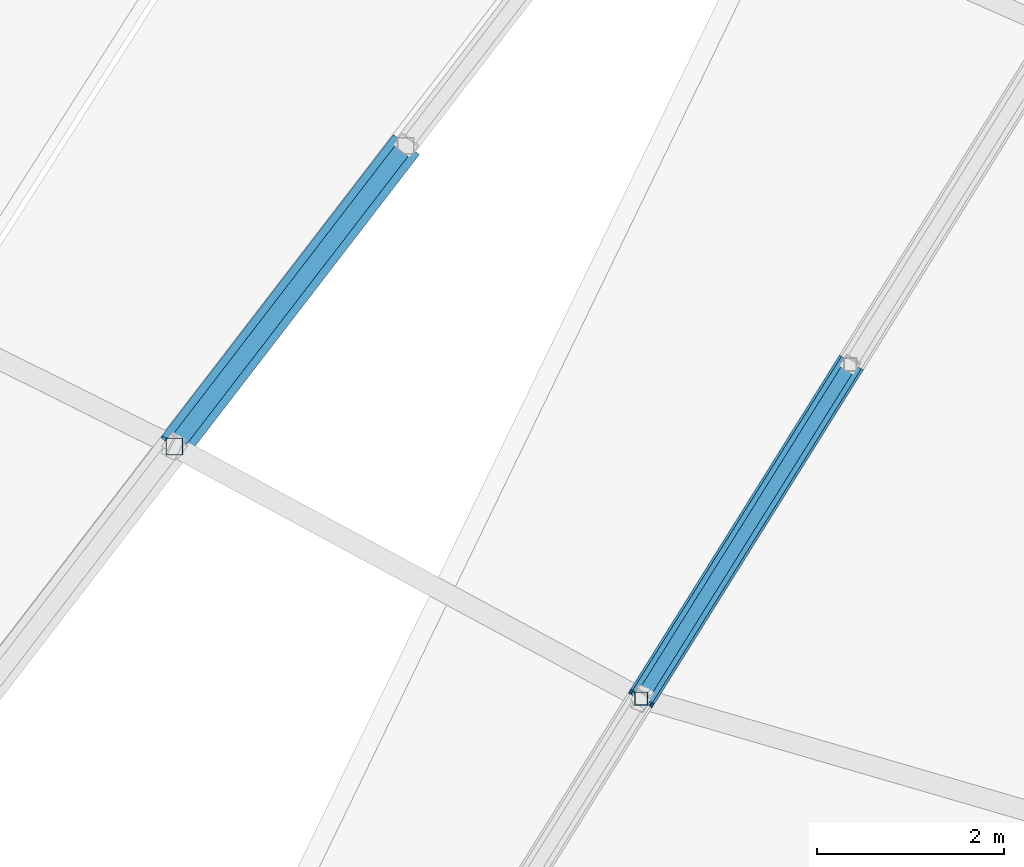
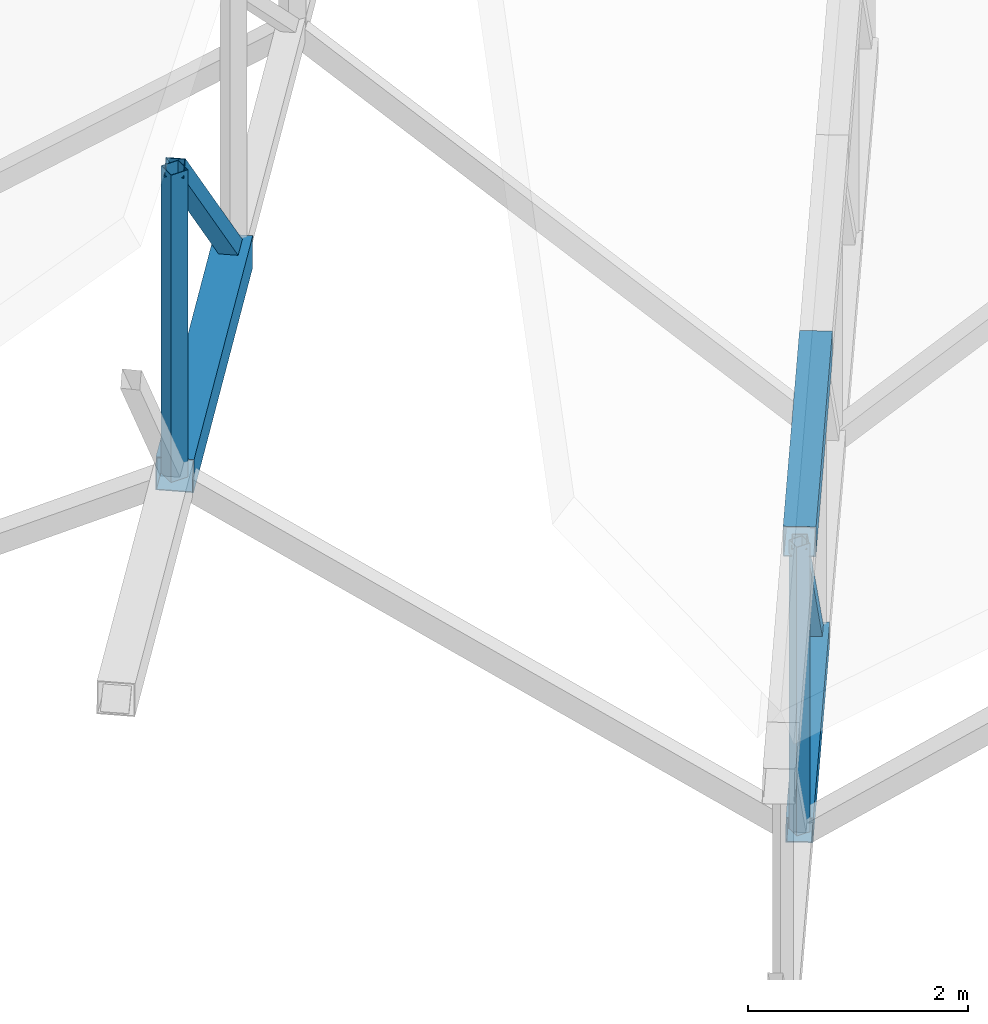
# One storey, part 13 of 344: 7 members.
"""IFC4 building model written with IfcOpenShell, lengths in metres."""

from ifc_helpers import new_model, si_unit, direction, frame, origin, origin_2d, place, context, subcontext, project, spatial, hollow_rectangle, extrude, material, material_profile, profile_set, type_object, element, save


model = new_model("IFC4")

# Units and contexts
model_context = context("Model", 3, precision=1e-05, world=origin(), true_north=direction((0.0, 1.0)))
body_context = subcontext(model_context, "Body", "Model", "MODEL_VIEW")
ifc_project = project(units=[si_unit("LENGTHUNIT", "METRE"), si_unit("AREAUNIT", "SQUARE_METRE"), si_unit("VOLUMEUNIT", "CUBIC_METRE"), si_unit("PLANEANGLEUNIT", "RADIAN"), si_unit("MASSUNIT", "GRAM", prefix="KILO")], contexts=[model_context])

# Site, building, storey
site_placement = place(None, origin())
site = spatial("IfcSite", under=ifc_project, at=site_placement, CompositionType="ELEMENT")
building_placement = place(site_placement, origin())
building = spatial("IfcBuilding", under=site, at=building_placement, Name="Meseta Stadium", CompositionType="ELEMENT")
storey_placement = place(building_placement, frame((0.0, 0.0, 24.0)))
storey = spatial("IfcBuildingStorey", under=building, at=storey_placement, Name="L04", CompositionType="ELEMENT", Elevation=24.0)

# Members
ifc_material_1 = material(Name="Steel S355", Category="steel")
ifc_material_profile_1 = material_profile(ifc_material_1, hollow_rectangle(XDim=0.139892578125, YDim=0.139892578125, WallThickness=0.0048828125, at=origin_2d()), Name="SHS 140x140x5")
ifc_profile_set_1 = profile_set([ifc_material_profile_1], Name="Steel S355")
member_type_1 = type_object("IfcMemberType", Name="SHS 140x140x5 diagonal", PredefinedType="BRACE", material=ifc_profile_set_1)
member_1_placement = place(storey_placement, frame((-37.3896484375, -75.82568359375, 1.483154296875), z_axis=(-0.385641705742, -0.616656162795, 0.686305800412), x_axis=(0.847855154969, -0.53022790967, 0.0)))
element("IfcMember", 1, at=member_1_placement, inside=storey, type_object=member_type_1, Name="ROOF TRUSS RT-43 diagonal", PredefinedType="BRACE", context=body_context, shape_type="SweptSolid", body=[
    extrude(hollow_rectangle(XDim=0.139892578125, YDim=0.139892578125, WallThickness=0.0048828125, at=origin_2d()), origin(), (0.0, 0.0, 1.0), 5.797607421875),
])
ifc_material_2 = material(Name="Steel S355", Category="steel")
ifc_material_profile_2 = material_profile(ifc_material_2, hollow_rectangle(XDim=0.139892578125, YDim=0.139892578125, WallThickness=0.0048828125, at=origin_2d()), Name="SHS 140x140x5")
ifc_profile_set_2 = profile_set([ifc_material_profile_2], Name="Steel S355")
member_type_2 = type_object("IfcMemberType", Name="SHS 140x140x5 post", PredefinedType="POST", material=ifc_profile_set_2)
member_2_placement = place(storey_placement, frame((-39.62548828125, -79.40087890625, 2.261962890625), z_axis=(0.0, 0.0, 1.0), x_axis=(1.0, 0.0, 0.0)))
element("IfcMember", 2, at=member_2_placement, inside=storey, type_object=member_type_2, Name="ROOF TRUSS RT-43 post", PredefinedType="POST", context=body_context, shape_type="SweptSolid", body=[
    extrude(hollow_rectangle(XDim=0.139892578125, YDim=0.139892578125, WallThickness=0.0048828125, at=origin_2d()), origin(), (0.0, 0.0, 1.0), 3.2001953125),
])
ifc_material_3 = material(Name="Steel S355", Category="steel")
ifc_material_profile_3 = material_profile(ifc_material_3, hollow_rectangle(XDim=0.179931640625, YDim=0.179931640625, WallThickness=0.00634765625, at=origin_2d()), Name="SHS 180x180x6.3")
ifc_profile_set_3 = profile_set([ifc_material_profile_3], Name="Steel S355")
member_type_3 = type_object("IfcMemberType", Name="SHS 180x180x6.3 diagonal", PredefinedType="BRACE", material=ifc_profile_set_3)
member_3_placement = place(storey_placement, frame((-42.147705078125, -73.484375, 5.981689453125), z_axis=(-0.448268712924, -0.582996940216, 0.677620637756), x_axis=(0.792749139849, -0.609548030321, 0.0)))
element("IfcMember", 3, at=member_3_placement, inside=storey, type_object=member_type_3, Name="ROOF TRUSS RT-42 diagonal", PredefinedType="BRACE", context=body_context, shape_type="SweptSolid", body=[
    extrude(hollow_rectangle(XDim=0.179931640625, YDim=0.179931640625, WallThickness=0.00634765625, at=origin_2d()), origin(), (0.0, 0.0, 1.0), 5.521484375),
])
ifc_material_4 = material(Name="Steel S355", Category="steel")
ifc_material_profile_4 = material_profile(ifc_material_4, hollow_rectangle(XDim=0.179931640625, YDim=0.179931640625, WallThickness=0.00634765625, at=origin_2d()), Name="SHS 180x180x6.3")
ifc_profile_set_4 = profile_set([ifc_material_profile_4], Name="Steel S355")
member_type_4 = type_object("IfcMemberType", Name="SHS 180x180x6.3 post", PredefinedType="POST", material=ifc_profile_set_4)
member_4_placement = place(storey_placement, frame((-44.622802734375, -76.703369140625, 6.316162109375), z_axis=(0.0, 0.0, 1.0), x_axis=(1.0, 0.0, 0.0)))
element("IfcMember", 4, at=member_4_placement, inside=storey, type_object=member_type_4, Name="ROOF TRUSS RT-42 post", PredefinedType="POST", context=body_context, shape_type="SweptSolid", body=[
    extrude(hollow_rectangle(XDim=0.179931640625, YDim=0.179931640625, WallThickness=0.00634765625, at=origin_2d()), origin(), (0.0, 0.0, 1.0), 3.406982421875),
])
ifc_material_5 = material(Name="Steel S355", Category="steel")
ifc_material_profile_5 = material_profile(ifc_material_5, hollow_rectangle(XDim=0.25, YDim=0.25, WallThickness=0.010009765625, at=origin_2d()), Name="SHS 250x250x10")
ifc_profile_set_5 = profile_set([ifc_material_profile_5], Name="Steel S355")
member_type_5 = type_object("IfcMemberType", Name="SHS 250x250x10 bottom chord", PredefinedType="CHORD", material=ifc_profile_set_5)
member_5_placement = place(storey_placement, frame((-37.3896484375, -75.82568359375, 1.483154296875), z_axis=(-0.521409364603, -0.833753956676, 0.181622174392), x_axis=(0.847855154969, -0.53022790967, 0.0)))
element("IfcMember", 5, at=member_5_placement, inside=storey, type_object=member_type_5, Name="ROOF TRUSS RT-43 bottom chord", PredefinedType="CHORD", context=body_context, shape_type="SweptSolid", body=[
    extrude(hollow_rectangle(XDim=0.25, YDim=0.25, WallThickness=0.010009765625, at=origin_2d()), origin(), (0.0, 0.0, 1.0), 4.2880859375),
])
ifc_material_6 = material(Name="Steel S355", Category="steel")
ifc_material_profile_6 = material_profile(ifc_material_6, hollow_rectangle(XDim=0.300048828125, YDim=0.300048828125, WallThickness=0.010009765625, at=origin_2d()), Name="SHS 300x300x10")
ifc_profile_set_6 = profile_set([ifc_material_profile_6], Name="Steel S355")
member_type_6 = type_object("IfcMemberType", Name="SHS 300x300x10 top chord", PredefinedType="CHORD", material=ifc_profile_set_6)
member_6_placement = place(storey_placement, frame((-37.3896484375, -75.82568359375, 4.683349609375), z_axis=(-0.521409364603, -0.833753956676, 0.181622174392), x_axis=(0.847855154969, -0.53022790967, 0.0)))
element("IfcMember", 6, at=member_6_placement, inside=storey, type_object=member_type_6, Name="ROOF TRUSS RT-43 top chord", PredefinedType="CHORD", context=body_context, shape_type="SweptSolid", body=[
    extrude(hollow_rectangle(XDim=0.300048828125, YDim=0.300048828125, WallThickness=0.010009765625, at=origin_2d()), origin(), (0.0, 0.0, 1.0), 4.2880859375),
])
ifc_material_7 = material(Name="Steel S355", Category="steel")
ifc_material_profile_7 = material_profile(ifc_material_7, hollow_rectangle(XDim=0.35009765625, YDim=0.35009765625, WallThickness=0.010009765625, at=origin_2d()), Name="SHS 350x350x10")
ifc_profile_set_7 = profile_set([ifc_material_profile_7], Name="Steel S355")
member_type_7 = type_object("IfcMemberType", Name="SHS 350x350x10 bottom chord", PredefinedType="CHORD", material=ifc_profile_set_7)
member_7_placement = place(storey_placement, frame((-42.147705078125, -73.484375, 5.981689453125), z_axis=(-0.607490590337, -0.790073331386, 0.082093323019), x_axis=(0.792749139849, -0.609548030321, 0.0)))
element("IfcMember", 7, at=member_7_placement, inside=storey, type_object=member_type_7, Name="ROOF TRUSS RT-42 bottom chord", PredefinedType="CHORD", context=body_context, shape_type="SweptSolid", body=[
    extrude(hollow_rectangle(XDim=0.35009765625, YDim=0.35009765625, WallThickness=0.010009765625, at=origin_2d()), origin(), (0.0, 0.0, 1.0), 4.07421875),
])

save(model, "model.ifc")
